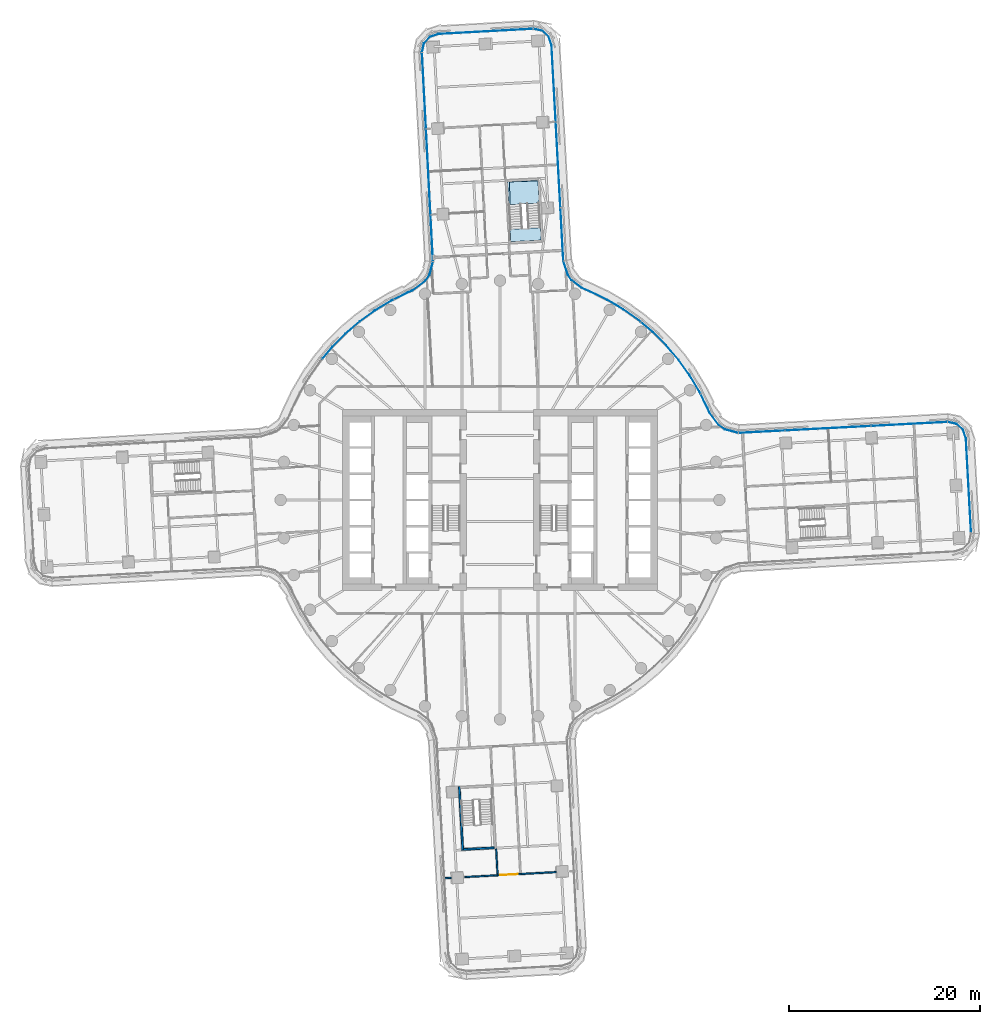
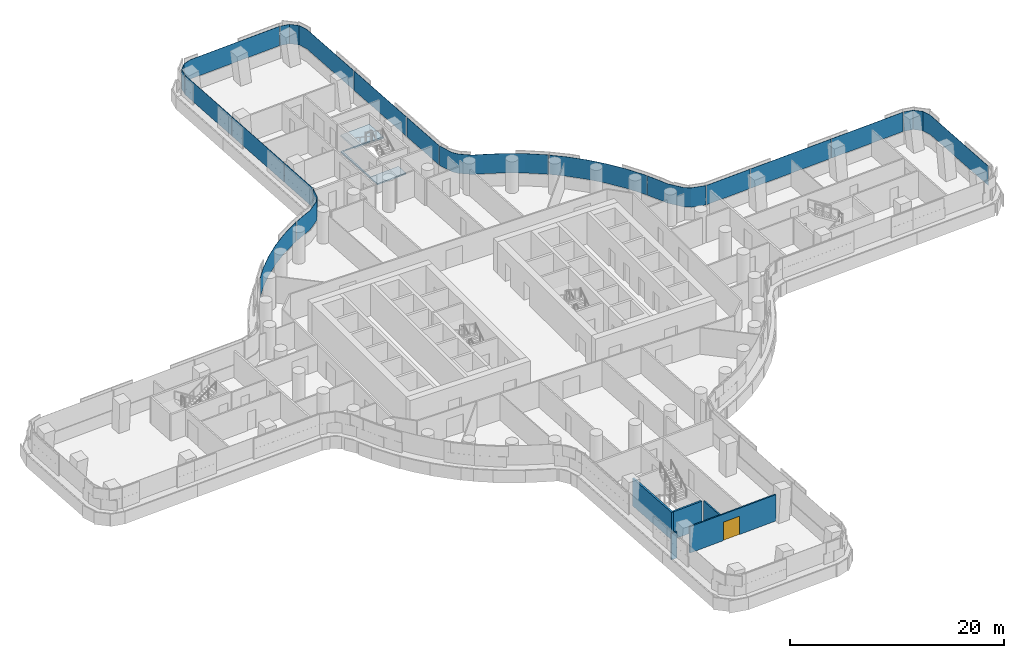
# One storey, part 18 of 31: 16 plates, 5 walls, 2 slabs, 1 door, 1 opening, 8 elements without a shape of their own.
"""IFC4 building model written with IfcOpenShell, lengths in metres."""

import ifcopenshell
import ifcopenshell.guid

model = None  # the IFC model being written
_history = None  # IfcOwnerHistory: only IFC2X3 demands one
_inside = {}  # id of a spatial element -> (the spatial element, [elements in it])
_under = {}  # id of a project, library or spatial element -> (it, [spatial elements below it])
_declared = {}  # id of a project -> (the project, [libraries it declares])
_typed = {}  # id of a type object -> (the type object, [elements of that type])
_made_of = {}  # id of a material, layer set ... -> (it, [elements and type objects made of it])


def new_model(schema):
    """Start an empty IFC model of exactly this schema.

    Asked for "IFC4X3", IfcOpenShell would pick the latest addendum, in which some entities
    have other attributes; the version numbers below select the first issue.
    IFC2X3 requires an IfcOwnerHistory on every rooted entity: one is made here for all.
    """
    global model, _history
    if schema == "IFC4X3":
        model = ifcopenshell.file(schema_version=(4, 3, 0, 0))
    else:
        model = ifcopenshell.file(schema=schema)
    _inside.clear()
    _under.clear()
    _declared.clear()
    _typed.clear()
    _made_of.clear()
    _history = None
    if model.schema == "IFC2X3":
        org = make("IfcOrganization", Name="unknown")
        user = make(
            "IfcPersonAndOrganization",
            ThePerson=make("IfcPerson", FamilyName="unknown"),
            TheOrganization=org,
        )
        app = make(
            "IfcApplication",
            ApplicationDeveloper=org,
            Version="unknown",
            ApplicationFullName="unknown",
            ApplicationIdentifier="unknown",
        )
        _history = make(
            "IfcOwnerHistory",
            OwningUser=user,
            OwningApplication=app,
            ChangeAction="ADDED",
            CreationDate=0,
        )
    return model


def make(cls, **values):
    """One entity of the class cls with the attributes given. An attribute that is None is left unset."""
    return model.create_entity(
        cls, **{name: value for name, value in values.items() if value is not None}
    )


def rooted(cls, **values):
    """An entity with a GlobalId (a new one), such as an element, a storey or a relation."""
    return make(cls, GlobalId=ifcopenshell.guid.new(), OwnerHistory=_history, **values)


def si_unit(unit_type, name, prefix=None):
    """IfcSIUnit, for example si_unit("LENGTHUNIT", "METRE", prefix="MILLI")."""
    return make("IfcSIUnit", UnitType=unit_type, Prefix=prefix, Name=name)


def assignment(units):
    """IfcUnitAssignment: the units of a project."""
    return None if units is None else make("IfcUnitAssignment", Units=units)


def point(xyz):
    """IfcCartesianPoint."""
    return None if xyz is None else make("IfcCartesianPoint", Coordinates=xyz)


def direction(xyz):
    """IfcDirection."""
    return None if xyz is None else make("IfcDirection", DirectionRatios=xyz)


def frame(location, z_axis=None, x_axis=None):
    """IfcAxis2Placement3D, a coordinate frame: its origin and axes. An axis left out is left unset."""
    return make(
        "IfcAxis2Placement3D",
        Location=point(location),
        Axis=direction(z_axis),
        RefDirection=direction(x_axis),
    )


def frame_2d(location, x_axis=None):
    """IfcAxis2Placement2D, a coordinate frame in the plane: its origin and x axis."""
    return make(
        "IfcAxis2Placement2D", Location=point(location), RefDirection=direction(x_axis)
    )


def origin():
    """The frame at (0, 0, 0) with its axes left unset."""
    return frame((0.0, 0.0, 0.0))


def place(relative_to, where):
    """IfcLocalPlacement: puts the frame where relative to a parent placement (None: the world)."""
    return make(
        "IfcLocalPlacement", PlacementRelTo=relative_to, RelativePlacement=where
    )


def context(
    kind, dimensions, precision=None, world=None, true_north=None, identifier=None
):
    """IfcGeometricRepresentationContext, for example the 3D "Model" context."""
    return make(
        "IfcGeometricRepresentationContext",
        ContextIdentifier=identifier,
        ContextType=kind,
        CoordinateSpaceDimension=dimensions,
        Precision=precision,
        WorldCoordinateSystem=world,
        TrueNorth=true_north,
    )


def subcontext(parent, identifier, kind, view, scale=None):
    """IfcGeometricRepresentationSubContext, for example "Body" below "Model"."""
    return make(
        "IfcGeometricRepresentationSubContext",
        ContextIdentifier=identifier,
        ContextType=kind,
        ParentContext=parent,
        TargetScale=scale,
        TargetView=view,
    )


def project(units=None, contexts=None):
    """IfcProject with its units and contexts."""
    return rooted(
        "IfcProject",
        Name="project",
        RepresentationContexts=contexts,
        UnitsInContext=assignment(units),
    )


def spatial(cls, under=None, at=None, **own):
    """A site, building, storey or space (cls), placed at a placement, below another one or the project."""
    s = rooted(cls, ObjectPlacement=at, **own)
    if under is not None:
        _under.setdefault(under.id(), (under, []))[1].append(s)
    return s


def polyline(points):
    """IfcPolyline through the points."""
    return make("IfcPolyline", Points=[point(p) for p in points])


def profile(cls, at=None, kind="AREA", **sizes):
    """A parametric profile (cls). Its sizes go by their IFC names, for example OverallWidth=200.0."""
    return make(cls, ProfileType=kind, Position=at, **sizes)


def rectangle(**sizes):
    """IfcRectangleProfileDef."""
    return profile("IfcRectangleProfileDef", **sizes)


def outline(outer, holes=None, kind="AREA"):
    """IfcArbitraryClosedProfileDef: a profile drawn as a closed curve; with holes, ...WithVoids."""
    if holes is None:
        return make("IfcArbitraryClosedProfileDef", ProfileType=kind, OuterCurve=outer)
    return make(
        "IfcArbitraryProfileDefWithVoids",
        ProfileType=kind,
        OuterCurve=outer,
        InnerCurves=holes,
    )


def extrude(swept, where, along, depth):
    """IfcExtrudedAreaSolid: the profile swept, set in the frame where, extruded along a direction by depth."""
    return make(
        "IfcExtrudedAreaSolid",
        SweptArea=swept,
        Position=where,
        ExtrudedDirection=direction(along),
        Depth=depth,
    )


def shape(context_of_items, identifier, shape_type, items):
    """IfcShapeRepresentation: the items that make up one representation, for example the "Body"."""
    return make(
        "IfcShapeRepresentation",
        ContextOfItems=context_of_items,
        RepresentationIdentifier=identifier,
        RepresentationType=shape_type,
        Items=items,
    )


def material(Name=None, Category=None):
    """IfcMaterial."""
    return make("IfcMaterial", Name=Name, Category=Category)


def layer(
    of_material, thickness, ventilated=None, Name=None, Category=None, Priority=None
):
    """IfcMaterialLayer: one layer of a wall or slab, of a material (None: an air gap)."""
    return make(
        "IfcMaterialLayer",
        Material=of_material,
        LayerThickness=thickness,
        IsVentilated=ventilated,
        Name=Name,
        Category=Category,
        Priority=Priority,
    )


def layer_set(layers, Name=None):
    """IfcMaterialLayerSet."""
    return make("IfcMaterialLayerSet", MaterialLayers=layers, LayerSetName=Name)


def made_of(thing, what):
    """Note that an element or type object is made of a material, layer set ...; save() writes the relation."""
    if what is not None:
        _made_of.setdefault(what.id(), (what, []))[1].append(thing)
    return thing


def type_object(cls, material=None, **own):
    """A type object (cls), such as IfcWallType, which elements share."""
    return made_of(rooted(cls, **own), material)


def element(
    cls,
    number,
    at=None,
    inside=None,
    cuts=None,
    type_object=None,
    material=None,
    context=None,
    identifier="Body",
    shape_type=None,
    held_by="IfcProductDefinitionShape",
    body=None,
    shapes=None,
    **own,
):
    """One element of the class cls, such as IfcWall. Its Tag is "e" and its number.

    at: its placement. inside: the storey or other place that contains it. cuts: it is an
    opening in that element (IfcRelVoidsElement). A single representation is given by context,
    identifier, shape_type and body (its items); several are given by shapes. held_by: the class
    of the entity that holds the representations. save() writes the other relations.
    """
    e = rooted(cls, Tag="e%d" % number, ObjectPlacement=at, **own)
    if body is not None:
        shapes = [shape(context, identifier, shape_type, body)]
    if shapes is not None:
        e.Representation = make(held_by, Representations=shapes)
    if inside is not None:
        _inside.setdefault(inside.id(), (inside, []))[1].append(e)
    if cuts is not None:
        rooted(
            "IfcRelVoidsElement", RelatingBuildingElement=cuts, RelatedOpeningElement=e
        )
    if type_object is not None:
        _typed.setdefault(type_object.id(), (type_object, []))[1].append(e)
    return made_of(e, material)


def fill(opening, filler):
    """IfcRelFillsElement: the door or window that sits in an opening."""
    return rooted(
        "IfcRelFillsElement",
        RelatingOpeningElement=opening,
        RelatedBuildingElement=filler,
    )


def aggregate(whole, parts):
    """IfcRelAggregates: a whole, such as a stair, and the parts it consists of."""
    return rooted("IfcRelAggregates", RelatingObject=whole, RelatedObjects=parts)


def save(model, path):
    """Write the relations noted so far, then the file.

    IfcRelAggregates (storeys below a building ...), IfcRelContainedInSpatialStructure (elements
    in a storey), IfcRelDefinesByType, IfcRelAssociatesMaterial and IfcRelDeclares: one each for
    every whole, place, type object, material and project.
    """
    for whole, parts in _under.values():
        aggregate(whole, parts)
    for where, things in _inside.values():
        rooted(
            "IfcRelContainedInSpatialStructure",
            RelatedElements=things,
            RelatingStructure=where,
        )
    for kind, things in _typed.values():
        rooted("IfcRelDefinesByType", RelatedObjects=things, RelatingType=kind)
    for what, things in _made_of.values():
        rooted("IfcRelAssociatesMaterial", RelatedObjects=things, RelatingMaterial=what)
    for by, libraries in _declared.values():
        rooted("IfcRelDeclares", RelatingContext=by, RelatedDefinitions=libraries)
    model.write(path)


model = new_model("IFC4")

# Units and contexts
model_context = context("Model", 3, precision=1e-05, world=origin(), true_north=direction((0.0, 1.0)))
body_context = subcontext(model_context, "Body", "Model", "MODEL_VIEW")
ifc_project = project(units=[si_unit("LENGTHUNIT", "METRE"), si_unit("AREAUNIT", "SQUARE_METRE"), si_unit("VOLUMEUNIT", "CUBIC_METRE"), si_unit("PLANEANGLEUNIT", "RADIAN"), si_unit("MASSUNIT", "GRAM", prefix="KILO")], contexts=[model_context])

# Site, building, storey
site_placement = place(None, origin())
site = spatial("IfcSite", under=ifc_project, at=site_placement, CompositionType="ELEMENT")
building_placement = place(site_placement, origin())
building = spatial("IfcBuilding", under=site, at=building_placement, Name="Tamarind Cross Interchange Tower", CompositionType="ELEMENT")
storey_placement = place(building_placement, frame((0.0, 0.0, 45.25)))
storey = spatial("IfcBuildingStorey", under=building, at=storey_placement, Name="L09", CompositionType="ELEMENT", Elevation=45.25)

# Slab
ifc_material_1 = material(Name="Concrete C35", Category="concrete")
ifc_layer_1 = layer(ifc_material_1, 0.139892578125)
ifc_layer_set_1 = layer_set([ifc_layer_1], Name="Concrete C35")
slab_type_1 = type_object("IfcSlabType", Name="Composite slab 140 Concrete C35", PredefinedType="FLOOR", material=ifc_layer_set_1)
slab_1_placement = place(storey_placement, frame((0.0, 0.0, -0.139892578125)))
element("IfcSlab", 1, at=slab_1_placement, inside=storey, type_object=slab_type_1, Name="Floor slab L09", PredefinedType="FLOOR", context=body_context, shape_type="SweptSolid", body=[
    extrude(outline(polyline([(1.12451171875, 27.069091796875), (4.319580078125, 27.243896484375), (4.248046875, 28.55419921875), (1.16796875, 28.385498046875), (0.987060546875, 33.343505859375), (3.979736328125, 33.45263671875), (3.975341796875, 33.53466796875), (0.780029296875, 33.359619140625), (1.12451171875, 27.069091796875)])), origin(), (0.0, 0.0, 1.0), 0.139892578125),
])

# Stair, slab
ifc_material_2 = material(Name="Exit stair")
stair_type = type_object("IfcStairType", Name="Exit stair", PredefinedType="HALF_TURN_STAIR", material=ifc_material_2)
stair_placement = place(storey_placement, origin())
stair = element("IfcStair", 2, at=stair_placement, inside=storey, type_object=stair_type, Name="L09 exit stair ST4", PredefinedType="HALF_TURN_STAIR")
ifc_material_3 = material(Name="Concrete C40", Category="concrete")
ifc_layer_2 = layer(ifc_material_3, 0.199951171875)
ifc_layer_set_2 = layer_set([ifc_layer_2], Name="Concrete C40")
slab_type_2 = type_object("IfcSlabType", Name="Stair landing", PredefinedType="LANDING", material=ifc_layer_set_2)
slab_2_placement = place(storey_placement, frame((0.0, 0.0, 1.675048828125)))
slab_2 = element("IfcSlab", 3, at=slab_2_placement, type_object=slab_type_2, Name="ST4 landing 1", PredefinedType="LANDING", context=body_context, shape_type="SweptSolid", body=[
    extrude(outline(polyline([(4.107177734375, 31.126220703125), (3.975341796875, 33.53466796875), (0.780029296875, 33.359619140625), (0.911865234375, 30.951171875), (4.107177734375, 31.126220703125)])), origin(), (0.0, 0.0, 1.0), 0.199951171875),
])
aggregate(stair, [slab_2])

# Curtain wall, plate
ifc_material_4 = material(Name="Aluminium 6063-T6", Category="aluminium")
ifc_layer_3 = layer(ifc_material_4, 0.159912109375)
ifc_layer_set_3 = layer_set([ifc_layer_3], Name="Aluminium 6063-T6")
curtain_wall_type = type_object("IfcCurtainWallType", Name="Office curtain wall, 9.0 m bays", PredefinedType="NOTDEFINED", material=ifc_layer_set_3)
curtain_wall_1_placement = place(storey_placement, origin())
curtain_wall_1 = element("IfcCurtainWall", 4, at=curtain_wall_1_placement, inside=storey, type_object=curtain_wall_type, Name="CWS-L09-08", PredefinedType="NOTDEFINED")
ifc_material_5 = material(Name="Laminated low-e glass 8+1.52+8", Category="glass")
ifc_layer_4 = layer(ifc_material_5, 0.028076171875)
ifc_layer_set_4 = layer_set([ifc_layer_4], Name="Laminated low-e glass 8+1.52+8")
plate_type = type_object("IfcPlateType", Name="Vision panel CW1", PredefinedType="CURTAIN_PANEL", material=ifc_layer_set_4)
plate_1_placement = place(storey_placement, frame((0.0, 0.0, 1.39990234375)))
plate_1 = element("IfcPlate", 5, at=plate_1_placement, type_object=plate_type, Name="CWP-L09-08-00", PredefinedType="CURTAIN_PANEL", context=body_context, shape_type="SweptSolid", body=[
    extrude(outline(polyline([(49.37109375, -3.4521484375), (48.8291015625, 6.448486328125), (48.533447265625, 7.35107421875), (47.847900390625, 7.96533203125), (46.945556640625, 8.155029296875), (46.951416015625, 8.182373046875), (47.86083984375, 7.9912109375), (48.5576171875, 7.366943359375), (48.856689453125, 6.45361328125), (49.399169921875, -3.45068359375), (49.37109375, -3.4521484375)])), origin(), (0.0, 0.0, 1.0), 2.210205078125),
])
aggregate(curtain_wall_1, [plate_1])

# Curtain wall, plates
curtain_wall_2_placement = place(storey_placement, origin())
curtain_wall_2 = element("IfcCurtainWall", 6, at=curtain_wall_2_placement, inside=storey, type_object=curtain_wall_type, Name="CWS-L09-09", PredefinedType="NOTDEFINED")
plate_2_placement = place(storey_placement, frame((0.0, 0.0, 1.39990234375)))
plate_2 = element("IfcPlate", 7, at=plate_2_placement, type_object=plate_type, Name="CWP-L09-09-00", PredefinedType="CURTAIN_PANEL", context=body_context, shape_type="SweptSolid", body=[
    extrude(outline(polyline([(46.889892578125, 8.1591796875), (38.903564453125, 7.739501953125), (38.902099609375, 7.767578125), (46.888427734375, 8.187255859375), (46.889892578125, 8.1591796875)])), origin(), (0.0, 0.0, 1.0), 2.210205078125),
])
plate_3_placement = place(storey_placement, frame((0.0, 0.0, 1.39990234375)))
plate_3 = element("IfcPlate", 8, at=plate_3_placement, type_object=plate_type, Name="CWP-L09-09-01", PredefinedType="CURTAIN_PANEL", context=body_context, shape_type="SweptSolid", body=[
    extrude(outline(polyline([(38.84375, 7.736328125), (29.913818359375, 7.26708984375), (29.912353515625, 7.295166015625), (38.84228515625, 7.764404296875), (38.84375, 7.736328125)])), origin(), (0.0, 0.0, 1.0), 2.210205078125),
])
plate_4_placement = place(storey_placement, frame((0.0, 0.0, 1.39990234375)))
plate_4 = element("IfcPlate", 9, at=plate_4_placement, type_object=plate_type, Name="CWP-L09-09-02", PredefinedType="CURTAIN_PANEL", context=body_context, shape_type="SweptSolid", body=[
    extrude(outline(polyline([(29.85400390625, 7.263916015625), (25.010986328125, 7.009521484375), (25.009521484375, 7.03759765625), (29.8525390625, 7.2919921875), (29.85400390625, 7.263916015625)])), origin(), (0.0, 0.0, 1.0), 2.210205078125),
])
aggregate(curtain_wall_2, [plate_2, plate_3, plate_4])

curtain_wall_3_placement = place(storey_placement, origin())
curtain_wall_3 = element("IfcCurtainWall", 10, at=curtain_wall_3_placement, inside=storey, type_object=curtain_wall_type, Name="CWS-L09-10", PredefinedType="NOTDEFINED")
plate_5_placement = place(storey_placement, frame((0.0, 0.0, 1.39990234375)))
plate_5 = element("IfcPlate", 11, at=plate_5_placement, type_object=plate_type, Name="CWP-L09-10-00", PredefinedType="CURTAIN_PANEL", context=body_context, shape_type="SweptSolid", body=[
    extrude(outline(polyline([(24.94775390625, 7.01611328125), (23.5830078125, 7.377197265625), (23.01806640625, 7.740966796875), (21.949951171875, 9.126708984375), (21.738037109375, 9.6455078125), (21.026123046875, 11.0859375), (21.05126953125, 11.09814453125), (21.763427734375, 9.656982421875), (21.974365234375, 9.140869140625), (23.037109375, 7.761962890625), (23.594482421875, 7.403076171875), (24.954833984375, 7.043212890625), (24.94775390625, 7.01611328125)])), origin(), (0.0, 0.0, 1.0), 2.210205078125),
])
plate_6_placement = place(storey_placement, frame((0.0, 0.0, 1.39990234375)))
plate_6 = element("IfcPlate", 12, at=plate_6_placement, type_object=plate_type, Name="CWP-L09-10-01", PredefinedType="CURTAIN_PANEL", context=body_context, shape_type="SweptSolid", body=[
    extrude(outline(polyline([(20.99951171875, 11.1396484375), (20.866455078125, 11.40869140625), (19.85302734375, 13.093017578125), (18.7041015625, 14.687744140625), (17.42724609375, 16.18212890625), (16.031494140625, 17.56591796875), (14.77783203125, 18.61865234375), (14.7958984375, 18.64013671875), (16.05029296875, 17.586669921875), (17.44775390625, 16.201171875), (18.72607421875, 14.705078125), (19.87646484375, 13.1083984375), (20.89111328125, 11.422119140625), (21.024658203125, 11.152099609375), (20.99951171875, 11.1396484375)])), origin(), (0.0, 0.0, 1.0), 2.210205078125),
])
plate_7_placement = place(storey_placement, frame((0.0, 0.0, 1.39990234375)))
plate_7 = element("IfcPlate", 13, at=plate_7_placement, type_object=plate_type, Name="CWP-L09-10-02", PredefinedType="CURTAIN_PANEL", context=body_context, shape_type="SweptSolid", body=[
    extrude(outline(polyline([(14.73193359375, 18.6572265625), (14.526123046875, 18.829833984375), (12.921630859375, 19.965087890625), (11.228759765625, 20.9638671875), (9.454833984375, 21.82177734375), (8.5302734375, 22.226806640625), (7.48681640625, 23.033447265625), (7.125, 23.533203125), (6.638427734375, 25.028564453125), (6.6650390625, 25.037353515625), (7.150146484375, 23.5458984375), (7.50732421875, 23.052978515625), (8.544677734375, 22.251220703125), (9.466552734375, 21.84716796875), (11.241943359375, 20.98876953125), (12.936767578125, 19.988525390625), (14.543212890625, 18.85205078125), (14.749755859375, 18.6787109375), (14.73193359375, 18.6572265625)])), origin(), (0.0, 0.0, 1.0), 2.210205078125),
])
aggregate(curtain_wall_3, [plate_5, plate_6, plate_7])

curtain_wall_4_placement = place(storey_placement, origin())
curtain_wall_4 = element("IfcCurtainWall", 14, at=curtain_wall_4_placement, inside=storey, type_object=curtain_wall_type, Name="CWS-L09-11", PredefinedType="NOTDEFINED")
plate_8_placement = place(storey_placement, frame((0.0, 0.0, 1.39990234375)))
plate_8 = element("IfcPlate", 15, at=plate_8_placement, type_object=plate_type, Name="CWP-L09-11-00", PredefinedType="CURTAIN_PANEL", context=body_context, shape_type="SweptSolid", body=[
    extrude(outline(polyline([(6.626953125, 25.090576171875), (6.3251953125, 30.6025390625), (6.35302734375, 30.60400390625), (6.65478515625, 25.092041015625), (6.626953125, 25.090576171875)])), origin(), (0.0, 0.0, 1.0), 2.210205078125),
])
plate_9_placement = place(storey_placement, frame((0.0, 0.0, 1.39990234375)))
plate_9 = element("IfcPlate", 16, at=plate_9_placement, type_object=plate_type, Name="CWP-L09-11-01", PredefinedType="CURTAIN_PANEL", context=body_context, shape_type="SweptSolid", body=[
    extrude(outline(polyline([(6.32177734375, 30.662353515625), (5.8330078125, 39.5888671875), (5.86083984375, 39.590576171875), (6.349853515625, 30.6640625), (6.32177734375, 30.662353515625)])), origin(), (0.0, 0.0, 1.0), 2.210205078125),
])
plate_10_placement = place(storey_placement, frame((0.0, 0.0, 1.39990234375)))
plate_10 = element("IfcPlate", 17, at=plate_10_placement, type_object=plate_type, Name="CWP-L09-11-02", PredefinedType="CURTAIN_PANEL", context=body_context, shape_type="SweptSolid", body=[
    extrude(outline(polyline([(5.82958984375, 39.64892578125), (5.39111328125, 47.660400390625), (5.095458984375, 48.56298828125), (4.409912109375, 49.177490234375), (3.5078125, 49.366943359375), (3.513671875, 49.394287109375), (4.4228515625, 49.203369140625), (5.11962890625, 48.578857421875), (5.418701171875, 47.66552734375), (5.857666015625, 39.650390625), (5.82958984375, 39.64892578125)])), origin(), (0.0, 0.0, 1.0), 2.210205078125),
])
aggregate(curtain_wall_4, [plate_8, plate_9, plate_10])

# Curtain wall, plate
curtain_wall_5_placement = place(storey_placement, origin())
curtain_wall_5 = element("IfcCurtainWall", 18, at=curtain_wall_5_placement, inside=storey, type_object=curtain_wall_type, Name="CWS-L09-12", PredefinedType="NOTDEFINED")
plate_11_placement = place(storey_placement, frame((0.0, 0.0, 1.39990234375)))
plate_11 = element("IfcPlate", 19, at=plate_11_placement, type_object=plate_type, Name="CWP-L09-12-00", PredefinedType="CURTAIN_PANEL", context=body_context, shape_type="SweptSolid", body=[
    extrude(outline(polyline([(3.4521484375, 49.37109375), (-6.448486328125, 48.8291015625), (-7.35107421875, 48.533447265625), (-7.96533203125, 47.847900390625), (-8.155029296875, 46.945556640625), (-8.182373046875, 46.951416015625), (-7.9912109375, 47.86083984375), (-7.366943359375, 48.5576171875), (-6.45361328125, 48.856689453125), (3.45068359375, 49.399169921875), (3.4521484375, 49.37109375)])), origin(), (0.0, 0.0, 1.0), 2.210205078125),
])
aggregate(curtain_wall_5, [plate_11])

# Curtain wall, plates
curtain_wall_6_placement = place(storey_placement, origin())
curtain_wall_6 = element("IfcCurtainWall", 20, at=curtain_wall_6_placement, inside=storey, type_object=curtain_wall_type, Name="CWS-L09-13", PredefinedType="NOTDEFINED")
plate_12_placement = place(storey_placement, frame((0.0, 0.0, 1.39990234375)))
plate_12 = element("IfcPlate", 21, at=plate_12_placement, type_object=plate_type, Name="CWP-L09-13-00", PredefinedType="CURTAIN_PANEL", context=body_context, shape_type="SweptSolid", body=[
    extrude(outline(polyline([(-8.1591796875, 46.889892578125), (-7.739501953125, 38.903564453125), (-7.767578125, 38.902099609375), (-8.187255859375, 46.888427734375), (-8.1591796875, 46.889892578125)])), origin(), (0.0, 0.0, 1.0), 2.210205078125),
])
plate_13_placement = place(storey_placement, frame((0.0, 0.0, 1.39990234375)))
plate_13 = element("IfcPlate", 22, at=plate_13_placement, type_object=plate_type, Name="CWP-L09-13-01", PredefinedType="CURTAIN_PANEL", context=body_context, shape_type="SweptSolid", body=[
    extrude(outline(polyline([(-7.736328125, 38.84375), (-7.26708984375, 29.913818359375), (-7.295166015625, 29.912353515625), (-7.764404296875, 38.84228515625), (-7.736328125, 38.84375)])), origin(), (0.0, 0.0, 1.0), 2.210205078125),
])
plate_14_placement = place(storey_placement, frame((0.0, 0.0, 1.39990234375)))
plate_14 = element("IfcPlate", 23, at=plate_14_placement, type_object=plate_type, Name="CWP-L09-13-02", PredefinedType="CURTAIN_PANEL", context=body_context, shape_type="SweptSolid", body=[
    extrude(outline(polyline([(-7.263916015625, 29.85400390625), (-7.009521484375, 25.010986328125), (-7.03759765625, 25.009521484375), (-7.2919921875, 29.8525390625), (-7.263916015625, 29.85400390625)])), origin(), (0.0, 0.0, 1.0), 2.210205078125),
])
aggregate(curtain_wall_6, [plate_12, plate_13, plate_14])

curtain_wall_7_placement = place(storey_placement, origin())
curtain_wall_7 = element("IfcCurtainWall", 24, at=curtain_wall_7_placement, inside=storey, type_object=curtain_wall_type, Name="CWS-L09-14", PredefinedType="NOTDEFINED")
plate_15_placement = place(storey_placement, frame((0.0, 0.0, 1.39990234375)))
plate_15 = element("IfcPlate", 25, at=plate_15_placement, type_object=plate_type, Name="CWP-L09-14-00", PredefinedType="CURTAIN_PANEL", context=body_context, shape_type="SweptSolid", body=[
    extrude(outline(polyline([(-7.01611328125, 24.94775390625), (-7.377197265625, 23.5830078125), (-7.740966796875, 23.01806640625), (-9.126708984375, 21.949951171875), (-9.6455078125, 21.738037109375), (-11.0859375, 21.026123046875), (-11.09814453125, 21.05126953125), (-9.656982421875, 21.763427734375), (-9.140869140625, 21.974365234375), (-7.761962890625, 23.037109375), (-7.403076171875, 23.594482421875), (-7.043212890625, 24.954833984375), (-7.01611328125, 24.94775390625)])), origin(), (0.0, 0.0, 1.0), 2.210205078125),
])
plate_16_placement = place(storey_placement, frame((0.0, 0.0, 1.39990234375)))
plate_16 = element("IfcPlate", 26, at=plate_16_placement, type_object=plate_type, Name="CWP-L09-14-01", PredefinedType="CURTAIN_PANEL", context=body_context, shape_type="SweptSolid", body=[
    extrude(outline(polyline([(-11.1396484375, 20.99951171875), (-11.40869140625, 20.866455078125), (-13.093017578125, 19.85302734375), (-14.687744140625, 18.7041015625), (-16.18212890625, 17.42724609375), (-17.56591796875, 16.031494140625), (-18.61865234375, 14.77783203125), (-18.64013671875, 14.7958984375), (-17.586669921875, 16.05029296875), (-16.201171875, 17.44775390625), (-14.705078125, 18.72607421875), (-13.1083984375, 19.87646484375), (-11.422119140625, 20.89111328125), (-11.152099609375, 21.024658203125), (-11.1396484375, 20.99951171875)])), origin(), (0.0, 0.0, 1.0), 2.210205078125),
])
aggregate(curtain_wall_7, [plate_15, plate_16])

# Walls
ifc_material_6 = material(Name="Gypsum board partition on steel studs", Category="steel")
ifc_layer_5 = layer(ifc_material_6, 0.14990234375)
ifc_layer_set_5 = layer_set([ifc_layer_5], Name="Gypsum board partition on steel studs")
wall_type_1 = type_object("IfcWallType", Name="Partition 150 mm EI 120", PredefinedType="PARTITIONING", material=ifc_layer_set_5)
wall_1_placement = place(storey_placement, frame((-0.404296875, -36.58349609375, 0.0), z_axis=(0.0, 0.0, 1.0), x_axis=(0.054612254446, -0.998507637259, 0.0)))
element("IfcWall", 27, at=wall_1_placement, inside=storey, type_object=wall_type_1, Name="Partition L09-015", PredefinedType="PARTITIONING", context=body_context, shape_type="SweptSolid", body=[
    extrude(rectangle(XDim=2.695556640625, YDim=0.14990234375, at=frame_2d((1.34765625, 0.0))), origin(), (0.0, 0.0, 1.0), 3.010009765625),
])
wall_2_placement = place(storey_placement, frame((-5.7431640625, -39.639892578125, 0.0), z_axis=(0.0, 0.0, 1.0), x_axis=(0.998512264457, 0.054527586866, 0.0)))
element("IfcWall", 28, at=wall_2_placement, inside=storey, type_object=wall_type_1, Name="Partition L09-056", PredefinedType="PARTITIONING", context=body_context, shape_type="SweptSolid", body=[
    extrude(rectangle(XDim=0.63134765625, YDim=0.14990234375, at=frame_2d((0.315673828125, 0.0))), origin(), (0.0, 0.0, 1.0), 3.010009765625),
])

# Wall, opening, door
wall_3_placement = place(storey_placement, frame((-3.6787109375, -39.527099609375, 0.0), z_axis=(0.0, 0.0, 1.0), x_axis=(0.998505964502, 0.054642829851, 0.0)))
wall_3 = element("IfcWall", 29, at=wall_3_placement, inside=storey, type_object=wall_type_1, Name="Partition L09-057", PredefinedType="PARTITIONING", context=body_context, shape_type="SweptSolid", body=[
    extrude(rectangle(XDim=9.579345703125, YDim=0.14990234375, at=frame_2d((4.78955078125, 0.0))), origin(), (0.0, 0.0, 1.0), 3.010009765625),
])
opening_placement = place(wall_3_placement, frame((3.73193359375, 0.0, 0.0)))
opening = element("IfcOpeningElement", 30, at=opening_placement, cuts=wall_3, Name="Opening D33", PredefinedType="OPENING", context=body_context, shape_type="SweptSolid", body=[
    extrude(rectangle(XDim=1.800048828125, YDim=2.10009765625, at=frame_2d((0.89990234375, 1.050048828125))), frame((0.0, 0.0849609375, 0.0), z_axis=(0.0, -1.0, 0.0), x_axis=(1.0, 0.0, 0.0)), (0.0, 0.0, 1.0), 0.169921875),
])
ifc_material_7 = material(Name="Fire-resisting door set")
door_type = type_object("IfcDoorType", Name="Interior door 1800 x 2100 FD60S", OperationType="DOUBLE_DOOR_SINGLE_SWING", PredefinedType="DOOR", material=ifc_material_7)
door_placement = place(opening_placement, origin())
door = element("IfcDoor", 31, at=door_placement, inside=storey, type_object=door_type, Name="Door D33", OperationType="DOUBLE_DOOR_SINGLE_SWING", OverallHeight=2.10009765625, OverallWidth=1.800048828125, PredefinedType="DOOR", context=body_context, shape_type="SweptSolid", body=[
    extrude(rectangle(XDim=1.800048828125, YDim=2.10009765625, at=frame_2d((0.89990234375, 1.050048828125))), frame((0.0, 0.02490234375, 0.0), z_axis=(0.0, -1.0, 0.0), x_axis=(1.0, 0.0, 0.0)), (0.0, 0.0, 1.0), 0.050048828125),
])
fill(opening, door)

# Walls
ifc_layer_6 = layer(ifc_material_3, 0.199951171875)
ifc_layer_set_6 = layer_set([ifc_layer_6], Name="Concrete C40")
wall_type_2 = type_object("IfcWallType", Name="Stair shaft wall 200 mm Concrete C40", PredefinedType="SHEAR", material=ifc_layer_set_6)
wall_4_placement = place(storey_placement, frame((-4.2666015625, -30.04541015625, -0.139892578125), z_axis=(0.0, 0.0, 1.0), x_axis=(0.05469502821, -0.9985031066, 0.0)))
element("IfcWall", 32, at=wall_4_placement, inside=storey, type_object=wall_type_2, Name="Core wall CWL-L09-ST6-C", PredefinedType="SHEAR", context=body_context, shape_type="SweptSolid", body=[
    extrude(rectangle(XDim=6.699951171875, YDim=0.199951171875, at=frame_2d((3.35009765625, 0.0))), origin(), (0.0, 0.0, 1.0), 3.14990234375),
])
wall_5_placement = place(storey_placement, frame((0.0, 0.0, -0.139892578125)))
element("IfcWall", 33, at=wall_5_placement, inside=storey, type_object=wall_type_2, Name="Core wall CWL-L09-ST6-CF", PredefinedType="SHEAR", context=body_context, shape_type="SweptSolid", body=[
    extrude(outline(polyline([(-3.811279296875, -36.530029296875), (-3.80029296875, -36.729736328125), (-0.60498046875, -36.554931640625), (-0.615966796875, -36.355224609375), (-3.811279296875, -36.530029296875)])), origin(), (0.0, 0.0, 1.0), 3.14990234375),
])

save(model, "model.ifc")
